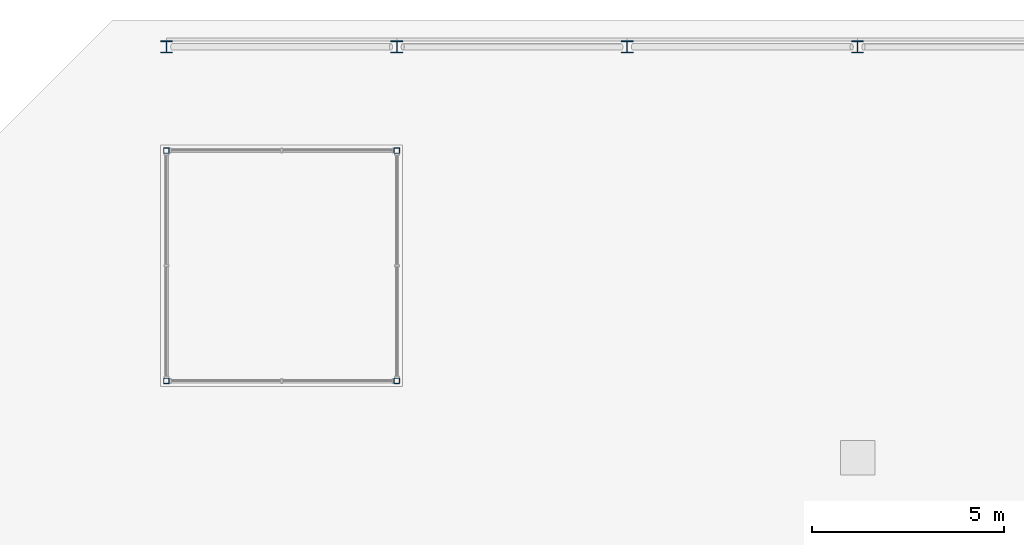
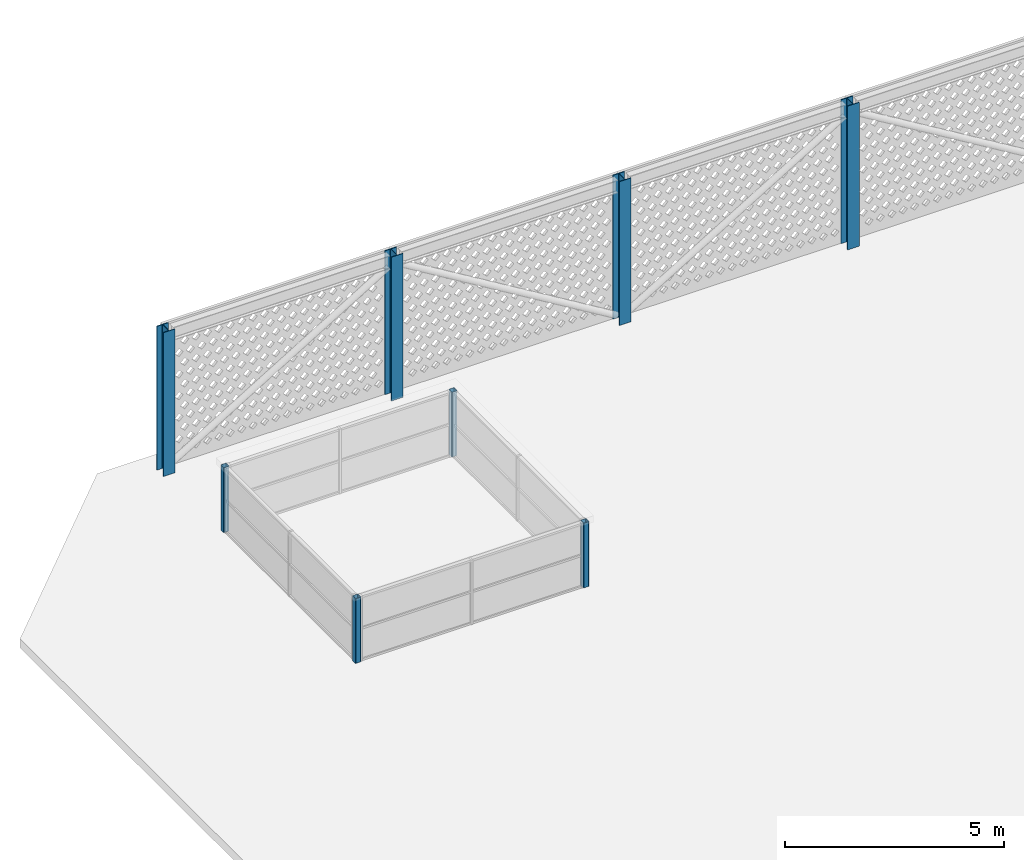
# One storey, part 3 of 10: 8 columns.
"""IFC4 building model written with IfcOpenShell, lengths in metres."""

from ifc_helpers import new_model, si_unit, direction, frame, origin, origin_2d, place, context, subcontext, project, spatial, hollow_rectangle, i_section, extrude, source, transform, mapped, material, material_profile, profile_set, type_object, element, save


model = new_model("IFC4")

# Units and contexts
model_context = context("Model", 3, precision=1e-05, world=origin(), true_north=direction((0.0, 1.0)))
body_context = subcontext(model_context, "Body", "Model", "MODEL_VIEW")
ifc_project = project(units=[si_unit("LENGTHUNIT", "METRE"), si_unit("AREAUNIT", "SQUARE_METRE"), si_unit("VOLUMEUNIT", "CUBIC_METRE"), si_unit("PLANEANGLEUNIT", "RADIAN"), si_unit("MASSUNIT", "GRAM", prefix="KILO")], contexts=[model_context])

# Site, building, storey
site_placement = place(None, origin())
site = spatial("IfcSite", under=ifc_project, at=site_placement, CompositionType="ELEMENT")
building_placement = place(site_placement, origin())
building = spatial("IfcBuilding", under=site, at=building_placement, Name="Poui Terraces", CompositionType="ELEMENT")
storey_placement = place(building_placement, frame((0.0, 0.0, 292.199951171875)))
storey = spatial("IfcBuildingStorey", under=building, at=storey_placement, Name="ROOF", CompositionType="ELEMENT", Elevation=292.199951171875)

# Columns
ifc_material_1 = material(Name="Steel Grade 300 MPa", Category="steel")
ifc_material_profile_1 = material_profile(ifc_material_1, i_section(OverallWidth=0.306884765625, OverallDepth=0.314697265625, WebThickness=0.011962890625, FlangeThickness=0.018798828125, FilletRadius=0.0166015625, at=origin_2d()), Name="310UC118")
ifc_profile_set_1 = profile_set([ifc_material_profile_1], Name="Steel Grade 300 MPa")
column_type_1 = type_object("IfcColumnType", Name="SCREEN FRAME POST 310UC118", PredefinedType="COLUMN", material=ifc_profile_set_1)
shared_shape_1 = source(origin(), body_context, "Body", "SweptSolid", [
    extrude(i_section(OverallWidth=0.306884765625, OverallDepth=0.314697265625, WebThickness=0.011962890625, FlangeThickness=0.018798828125, FilletRadius=0.0166015625, at=origin_2d()), origin(), (0.0, 0.0, 1.0), 4.0),
])
for number, where, z_axis, x_axis, name in (
    (1, (24.0, 40.699951171875, 0.0), (0.0, 0.0, 1.0), (1.0, 0.0, 0.0), "SCREEN FRAME POST N5"),
    (2, (30.0, 40.699951171875, 0.0), (0.0, 0.0, 1.0), (1.0, 0.0, 0.0), "SCREEN FRAME POST N6"),
    (3, (36.0, 40.699951171875, 0.0), (0.0, 0.0, 1.0), (1.0, 0.0, 0.0), "SCREEN FRAME POST N7"),
    (4, (42.0, 40.699951171875, 0.0), (0.0, 0.0, 1.0), (1.0, 0.0, 0.0), "SCREEN FRAME POST N8"),
):
    element("IfcColumn", number, at=place(storey_placement, frame(where, z_axis=z_axis, x_axis=x_axis)), inside=storey, type_object=column_type_1, Name=name, PredefinedType="COLUMN", context=body_context, shape_type="MappedRepresentation", body=[
        mapped(shared_shape_1, transform((0.0, 0.0, 0.0))),
    ])
ifc_material_2 = material(Name="Steel Grade 350 MPa", Category="steel")
ifc_material_profile_2 = material_profile(ifc_material_2, hollow_rectangle(XDim=0.14990234375, YDim=0.14990234375, WallThickness=0.009033203125, InnerFilletRadius=0.013427734375, OuterFilletRadius=0.0224609375, at=origin_2d()), Name="150x150x9.0 SHS")
ifc_profile_set_2 = profile_set([ifc_material_profile_2], Name="Steel Grade 350 MPa")
column_type_2 = type_object("IfcColumnType", Name="LANTERN POST 150x150x9.0 SHS", PredefinedType="COLUMN", material=ifc_profile_set_2)
shared_shape_2 = source(origin(), body_context, "Body", "SweptSolid", [
    extrude(hollow_rectangle(XDim=0.14990234375, YDim=0.14990234375, WallThickness=0.009033203125, InnerFilletRadius=0.013427734375, OuterFilletRadius=0.0224609375, at=origin_2d()), origin(), (0.0, 0.0, 1.0), 1.800048828125),
])
for number, where, z_axis, x_axis, name in (
    (5, (24.0, 32.0, 0.0), (0.0, 0.0, 1.0), (1.0, 0.0, 0.0), "LANTERN POST"),
    (6, (30.0, 32.0, 0.0), (0.0, 0.0, 1.0), (1.0, 0.0, 0.0), "LANTERN POST"),
    (7, (30.0, 38.0, 0.0), (0.0, 0.0, 1.0), (1.0, 0.0, 0.0), "LANTERN POST"),
    (8, (24.0, 38.0, 0.0), (0.0, 0.0, 1.0), (1.0, 0.0, 0.0), "LANTERN POST"),
):
    element("IfcColumn", number, at=place(storey_placement, frame(where, z_axis=z_axis, x_axis=x_axis)), inside=storey, type_object=column_type_2, Name=name, PredefinedType="COLUMN", context=body_context, shape_type="MappedRepresentation", body=[
        mapped(shared_shape_2, transform((0.0, 0.0, 0.0))),
    ])

save(model, "model.ifc")
